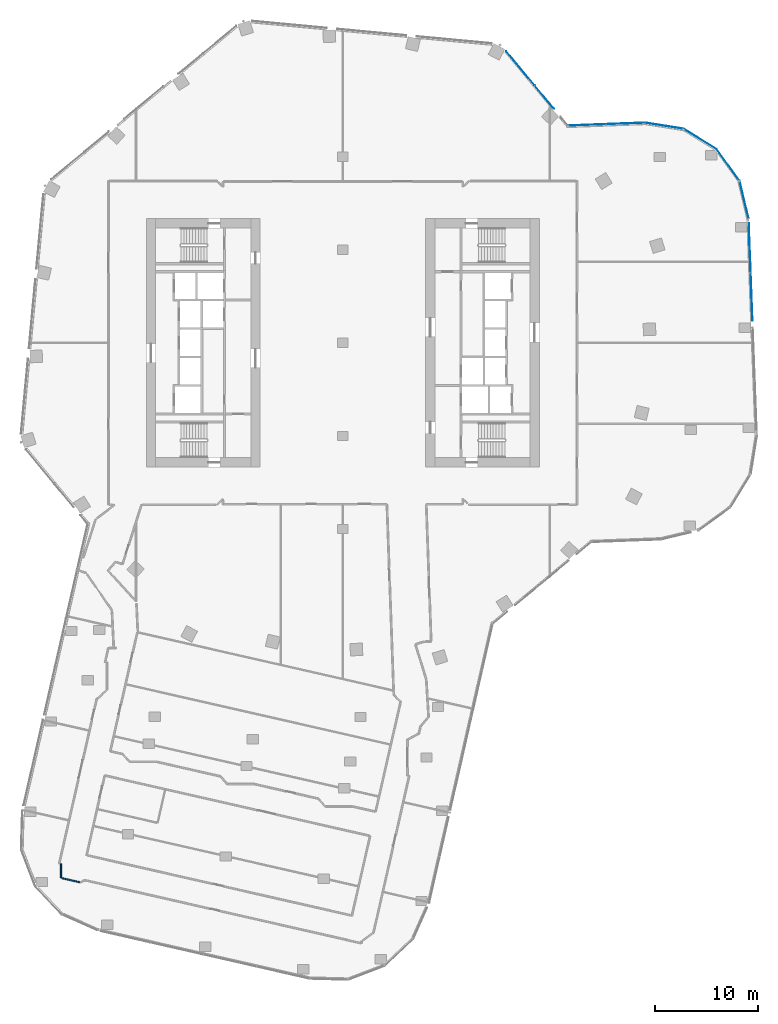
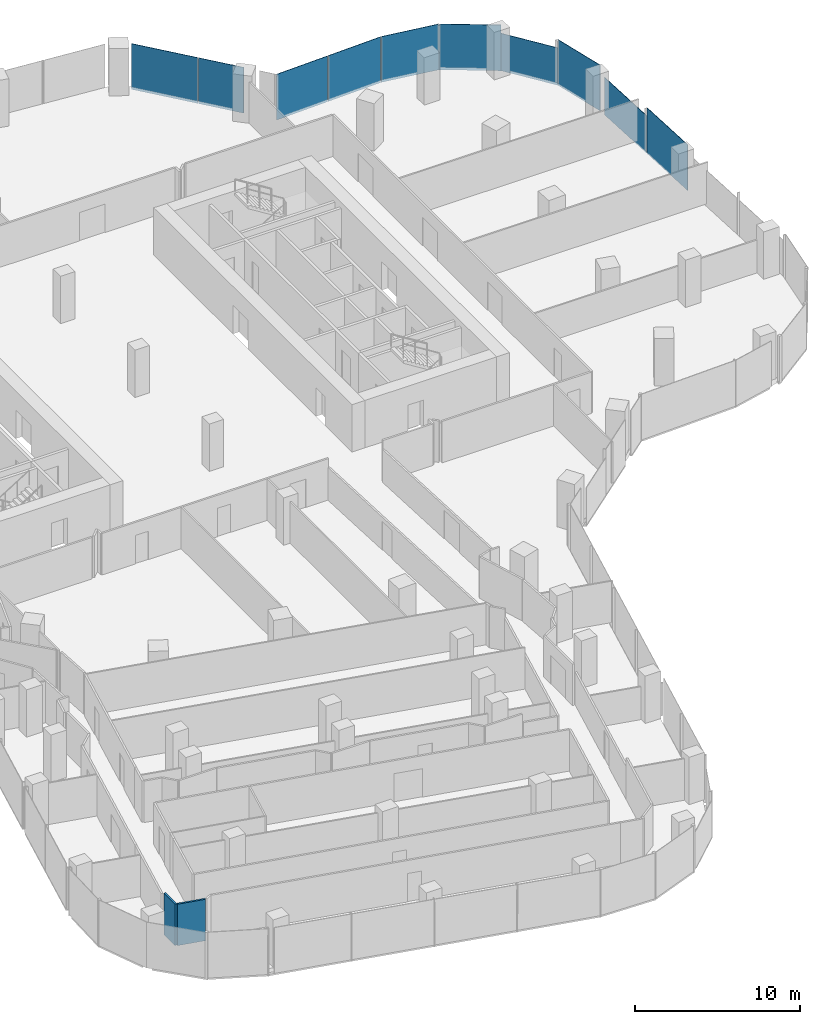
# One storey, part 17 of 23: 10 plates, 2 walls, 7 elements without a shape of their own.
"""IFC4 building model written with IfcOpenShell, lengths in metres."""

from ifc_helpers import new_model, si_unit, direction, frame, frame_2d, origin, origin_2d, place, context, subcontext, project, spatial, rectangle, extrude, material, layer, layer_set, type_object, element, aggregate, save


model = new_model("IFC4")

# Units and contexts
model_context = context("Model", 3, precision=1e-05, world=origin(), true_north=direction((0.0, 1.0)))
body_context = subcontext(model_context, "Body", "Model", "MODEL_VIEW")
ifc_project = project(units=[si_unit("LENGTHUNIT", "METRE"), si_unit("AREAUNIT", "SQUARE_METRE"), si_unit("VOLUMEUNIT", "CUBIC_METRE"), si_unit("PLANEANGLEUNIT", "RADIAN"), si_unit("MASSUNIT", "GRAM", prefix="KILO")], contexts=[model_context])

# Site, building, storey
site_placement = place(None, origin())
site = spatial("IfcSite", under=ifc_project, at=site_placement, CompositionType="ELEMENT")
building_placement = place(site_placement, origin())
building = spatial("IfcBuilding", under=site, at=building_placement, Name="Orlundy Tower", CompositionType="ELEMENT")
storey_placement = place(building_placement, frame((0.0, 0.0, 181.10009765625)))
storey = spatial("IfcBuildingStorey", under=building, at=storey_placement, Name="L47", CompositionType="ELEMENT", Elevation=181.10009765625)

# Curtain wall, plates
ifc_material_1 = material(Name="Aluminium bronze anodised", Category="aluminium")
curtain_wall_type = type_object("IfcCurtainWallType", Name="CW1 wall", PredefinedType="NOTDEFINED", material=ifc_material_1)
curtain_wall_1_placement = place(storey_placement, origin())
curtain_wall_1 = element("IfcCurtainWall", 1, at=curtain_wall_1_placement, inside=storey, type_object=curtain_wall_type, Name="CW1 run 05", PredefinedType="NOTDEFINED")
ifc_material_2 = material(Name="Tinted glass", Category="glass")
ifc_layer_1 = layer(ifc_material_2, 0.031982421875)
ifc_layer_set_1 = layer_set([ifc_layer_1], Name="CW1 glass panel 32")
plate_type = type_object("IfcPlateType", Name="CW1 glass panel 32", PredefinedType="CURTAIN_PANEL", material=ifc_layer_set_1)
plate_1_placement = place(storey_placement, frame((17.16748046875, 26.55224609375, -0.300048828125), z_axis=(0.0, 0.0, 1.0), x_axis=(0.638299162368, -0.769788399055, 0.0)))
plate_1 = element("IfcPlate", 2, at=plate_1_placement, type_object=plate_type, Name="CW1 panel", PredefinedType="CURTAIN_PANEL", context=body_context, shape_type="SweptSolid", body=[
    extrude(rectangle(XDim=4.295166015625, YDim=0.031982421875, at=origin_2d()), origin(), (0.0, 0.0, 1.0), 3.3798828125),
])
plate_2_placement = place(storey_placement, frame((19.498291015625, 23.7412109375, -0.300048828125), z_axis=(0.0, 0.0, 1.0), x_axis=(0.638299162368, -0.769788399055, 0.0)))
plate_2 = element("IfcPlate", 3, at=plate_2_placement, type_object=plate_type, Name="CW1 panel", PredefinedType="CURTAIN_PANEL", context=body_context, shape_type="SweptSolid", body=[
    extrude(rectangle(XDim=2.907958984375, YDim=0.031982421875, at=origin_2d()), origin(), (0.0, 0.0, 1.0), 3.3798828125),
])
aggregate(curtain_wall_1, [plate_1, plate_2])

curtain_wall_2_placement = place(storey_placement, origin())
curtain_wall_2 = element("IfcCurtainWall", 4, at=curtain_wall_2_placement, inside=storey, type_object=curtain_wall_type, Name="CW1 run 06", PredefinedType="NOTDEFINED")
plate_3_placement = place(storey_placement, frame((23.598388671875, 21.0712890625, -0.300048828125), z_axis=(0.0, 0.0, 1.0), x_axis=(0.99928394031, 0.037836578056, 0.0)))
plate_3 = element("IfcPlate", 5, at=plate_3_placement, type_object=plate_type, Name="CW1 panel", PredefinedType="CURTAIN_PANEL", context=body_context, shape_type="SweptSolid", body=[
    extrude(rectangle(XDim=3.660400390625, YDim=0.031982421875, at=origin_2d()), origin(), (0.0, 0.0, 1.0), 3.3798828125),
])
plate_4_placement = place(storey_placement, frame((27.342041015625, 21.212890625, -0.300048828125), z_axis=(0.0, 0.0, 1.0), x_axis=(0.99928394031, 0.037836578056, 0.0)))
plate_4 = element("IfcPlate", 6, at=plate_4_placement, type_object=plate_type, Name="CW1 panel", PredefinedType="CURTAIN_PANEL", context=body_context, shape_type="SweptSolid", body=[
    extrude(rectangle(XDim=3.732177734375, YDim=0.031982421875, at=origin_2d()), origin(), (0.0, 0.0, 1.0), 3.3798828125),
])
aggregate(curtain_wall_2, [plate_3, plate_4])

# Curtain wall, plate
curtain_wall_3_placement = place(storey_placement, origin())
curtain_wall_3 = element("IfcCurtainWall", 7, at=curtain_wall_3_placement, inside=storey, type_object=curtain_wall_type, Name="CW1 run 07", PredefinedType="NOTDEFINED")
plate_5_placement = place(storey_placement, frame((31.098876953125, 20.986083984375, -0.300048828125), z_axis=(0.0, 0.0, 1.0), x_axis=(0.987472591866, -0.157790621756, 0.0)))
plate_5 = element("IfcPlate", 8, at=plate_5_placement, type_object=plate_type, Name="CW1 panel", PredefinedType="CURTAIN_PANEL", context=body_context, shape_type="SweptSolid", body=[
    extrude(rectangle(XDim=3.731201171875, YDim=0.031982421875, at=origin_2d()), origin(), (0.0, 0.0, 1.0), 3.3798828125),
])
aggregate(curtain_wall_3, [plate_5])

curtain_wall_4_placement = place(storey_placement, origin())
curtain_wall_4 = element("IfcCurtainWall", 9, at=curtain_wall_4_placement, inside=storey, type_object=curtain_wall_type, Name="CW1 run 08", PredefinedType="NOTDEFINED")
plate_6_placement = place(storey_placement, frame((34.54736328125, 19.70361328125, -0.300048828125), z_axis=(0.0, 0.0, 1.0), x_axis=(0.85175093776, -0.523946886645, 0.0)))
plate_6 = element("IfcPlate", 10, at=plate_6_placement, type_object=plate_type, Name="CW1 panel", PredefinedType="CURTAIN_PANEL", context=body_context, shape_type="SweptSolid", body=[
    extrude(rectangle(XDim=3.771728515625, YDim=0.031982421875, at=origin_2d()), origin(), (0.0, 0.0, 1.0), 3.3798828125),
])
aggregate(curtain_wall_4, [plate_6])

curtain_wall_5_placement = place(storey_placement, origin())
curtain_wall_5 = element("IfcCurtainWall", 11, at=curtain_wall_5_placement, inside=storey, type_object=curtain_wall_type, Name="CW1 run 09", PredefinedType="NOTDEFINED")
plate_7_placement = place(storey_placement, frame((37.26025390625, 17.188232421875, -0.30029296875), z_axis=(0.0, 0.0, 1.0), x_axis=(0.586711161355, -0.80979627879, 0.0)))
plate_7 = element("IfcPlate", 12, at=plate_7_placement, type_object=plate_type, Name="CW1 panel", PredefinedType="CURTAIN_PANEL", context=body_context, shape_type="SweptSolid", body=[
    extrude(rectangle(XDim=3.772216796875, YDim=0.031982421875, at=origin_2d()), origin(), (0.0, 0.0, 1.0), 2.763916015625),
])
aggregate(curtain_wall_5, [plate_7])

curtain_wall_6_placement = place(storey_placement, origin())
curtain_wall_6 = element("IfcCurtainWall", 13, at=curtain_wall_6_placement, inside=storey, type_object=curtain_wall_type, Name="CW1 run 010", PredefinedType="NOTDEFINED")
plate_8_placement = place(storey_placement, frame((38.7998046875, 13.8466796875, -0.300048828125), z_axis=(0.0, 0.0, 1.0), x_axis=(0.23204608122, -0.972704793959, 0.0)))
plate_8 = element("IfcPlate", 14, at=plate_8_placement, type_object=plate_type, Name="CW1 panel", PredefinedType="CURTAIN_PANEL", context=body_context, shape_type="SweptSolid", body=[
    extrude(rectangle(XDim=3.729736328125, YDim=0.031982421875, at=origin_2d()), origin(), (0.0, 0.0, 1.0), 3.3798828125),
])
aggregate(curtain_wall_6, [plate_8])

# Curtain wall, plates
curtain_wall_7_placement = place(storey_placement, origin())
curtain_wall_7 = element("IfcCurtainWall", 15, at=curtain_wall_7_placement, inside=storey, type_object=curtain_wall_type, Name="CW1 run 011", PredefinedType="NOTDEFINED")
plate_9_placement = place(storey_placement, frame((39.345703125, 9.168701171875, -0.30029296875), z_axis=(0.0, 0.0, 1.0), x_axis=(0.03780949547, -0.999284965389, 0.0)))
plate_9 = element("IfcPlate", 16, at=plate_9_placement, type_object=plate_type, Name="CW1 panel", PredefinedType="CURTAIN_PANEL", context=body_context, shape_type="SweptSolid", body=[
    extrude(rectangle(XDim=4.798828125, YDim=0.031982421875, at=origin_2d()), origin(), (0.0, 0.0, 1.0), 2.763916015625),
])
plate_10_placement = place(storey_placement, frame((39.525390625, 4.4208984375, -0.300048828125), z_axis=(0.0, 0.0, 1.0), x_axis=(0.03780949547, -0.999284965389, 0.0)))
plate_10 = element("IfcPlate", 17, at=plate_10_placement, type_object=plate_type, Name="CW1 panel", PredefinedType="CURTAIN_PANEL", context=body_context, shape_type="SweptSolid", body=[
    extrude(rectangle(XDim=4.603271484375, YDim=0.031982421875, at=origin_2d()), origin(), (0.0, 0.0, 1.0), 3.3798828125),
])
aggregate(curtain_wall_7, [plate_9, plate_10])

# Walls
ifc_material_3 = material(Name="Gypsum board partition, double layer")
ifc_layer_2 = layer(ifc_material_3, 0.125)
ifc_layer_set_2 = layer_set([ifc_layer_2], Name="Floor partition 125")
wall_type = type_object("IfcWallType", Name="Floor partition 125", PredefinedType="PARTITIONING", material=ifc_layer_set_2)
wall_1_placement = place(storey_placement, frame((-27.173095703125, -51.758056640625, 0.0), z_axis=(0.0, 0.0, 1.0), x_axis=(0.975050579035, -0.221982810874, 0.0)))
element("IfcWall", 18, at=wall_1_placement, inside=storey, type_object=wall_type, Name="wall-int-L47-015", PredefinedType="PARTITIONING", context=body_context, shape_type="SweptSolid", body=[
    extrude(rectangle(XDim=1.779541015625, YDim=0.125, at=frame_2d((0.8896484375, 0.0))), origin(), (0.0, 0.0, 1.0), 3.059814453125),
])
wall_2_placement = place(storey_placement, frame((-27.2490234375, -51.740966796875, 0.0), z_axis=(0.0, 0.0, 1.0), x_axis=(0.0, 1.0, 0.0)))
element("IfcWall", 19, at=wall_2_placement, inside=storey, type_object=wall_type, Name="wall-int-L47-098", PredefinedType="PARTITIONING", context=body_context, shape_type="SweptSolid", body=[
    extrude(rectangle(XDim=1.35888671875, YDim=0.125, at=frame_2d((0.679443359375, 0.0))), origin(), (0.0, 0.0, 1.0), 3.059814453125),
])

save(model, "model.ifc")
